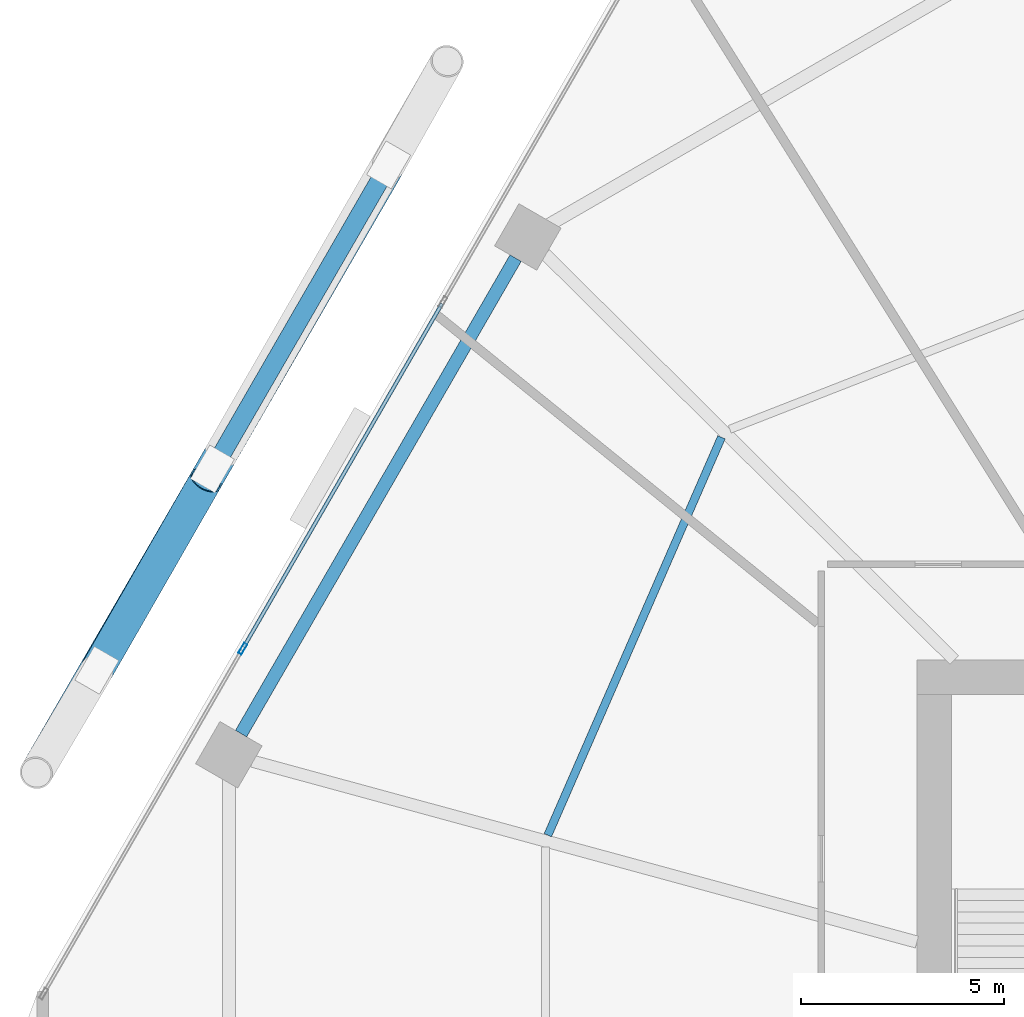
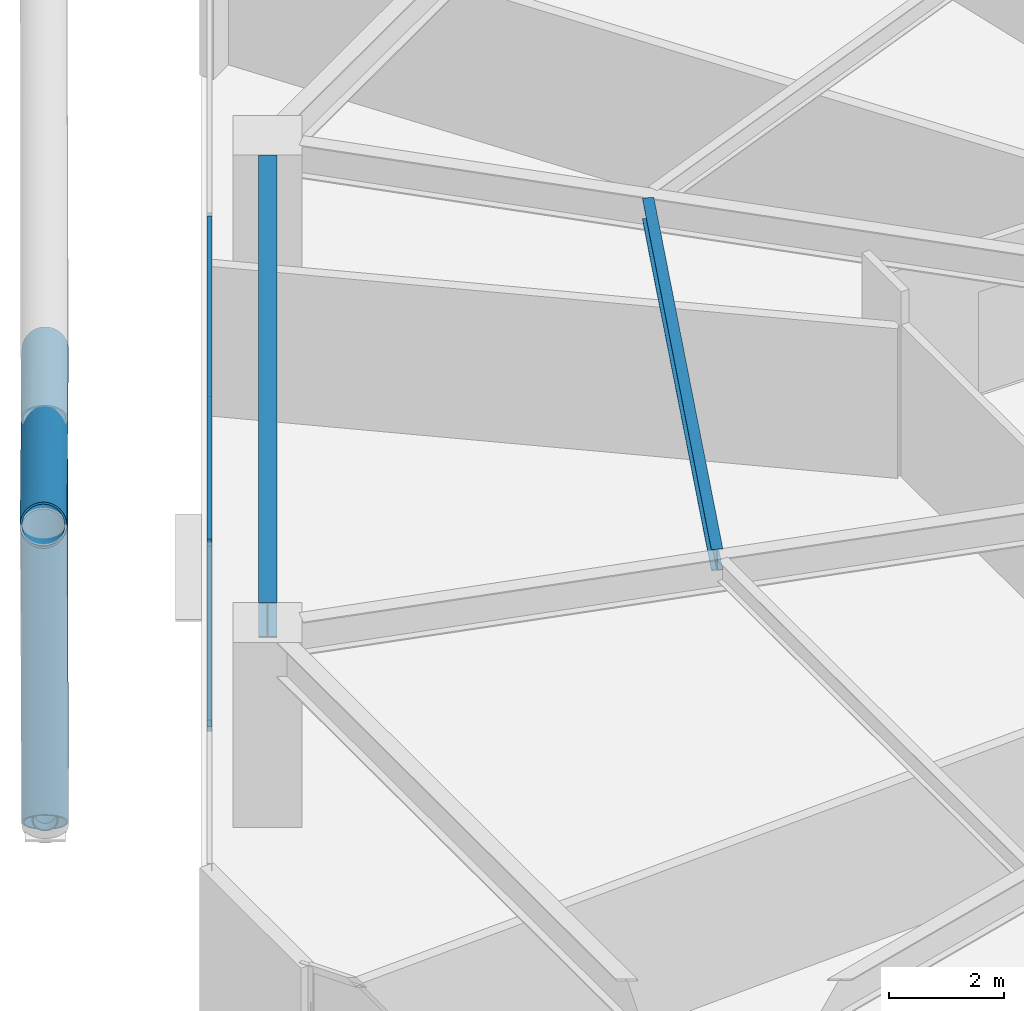
# One storey, part 14 of 30: 6 members, 2 beams, 1 element without a shape of its own.
"""IFC4 building model written with IfcOpenShell, lengths in metres."""

from ifc_helpers import new_model, si_unit, direction, frame, origin, origin_2d, place, context, subcontext, project, spatial, hollow_rectangle, hollow_circle, i_section, extrude, material, material_profile, profile_set, type_object, element, aggregate, save


model = new_model("IFC4")

# Units and contexts
model_context = context("Model", 3, precision=1e-05, world=origin(), true_north=direction((0.0, 1.0)))
body_context = subcontext(model_context, "Body", "Model", "MODEL_VIEW")
ifc_project = project(units=[si_unit("LENGTHUNIT", "METRE"), si_unit("AREAUNIT", "SQUARE_METRE"), si_unit("VOLUMEUNIT", "CUBIC_METRE"), si_unit("PLANEANGLEUNIT", "RADIAN"), si_unit("MASSUNIT", "GRAM", prefix="KILO")], contexts=[model_context])

# Site, building, storey
site_placement = place(None, origin())
site = spatial("IfcSite", under=ifc_project, at=site_placement, CompositionType="ELEMENT")
building_placement = place(site_placement, origin())
building = spatial("IfcBuilding", under=site, at=building_placement, Name="Zuhravey Tower", CompositionType="ELEMENT")
storey_placement = place(building_placement, frame((0.0, 0.0, 33.0)))
storey = spatial("IfcBuildingStorey", under=building, at=storey_placement, Name="L08", CompositionType="ELEMENT", Elevation=33.0)

# Curtain wall, members
ifc_material_1 = material(Name="Thermally broken anodised aluminium", Category="aluminium")
curtain_wall_type = type_object("IfcCurtainWallType", Name="School Low-E Unitised Curtain Wall CW1", PredefinedType="NOTDEFINED", material=ifc_material_1)
curtain_wall_placement = place(storey_placement, origin())
curtain_wall = element("IfcCurtainWall", 1, at=curtain_wall_placement, inside=storey, type_object=curtain_wall_type, Name="L08 CW1 CW-L08-F3-1", PredefinedType="NOTDEFINED")
ifc_material_2 = material(Name="Anodised aluminium", Category="aluminium")
ifc_material_profile_1 = material_profile(ifc_material_2, hollow_rectangle(XDim=0.090087890625, YDim=0.284912109375, WallThickness=0.0048828125, at=origin_2d()), Name="ALU-RHS-90x285x5")
ifc_profile_set_1 = profile_set([ifc_material_profile_1], Name="Anodised aluminium")
member_type_1 = type_object("IfcMemberType", Name="Curtain-Wall Mullion 90x180", PredefinedType="MULLION", material=ifc_profile_set_1)
member_1_placement = place(storey_placement, frame((8.45458984375, 42.20703125, 0.0), z_axis=(0.0, 0.0, 1.0), x_axis=(-0.86602552265, 0.499999794119, 0.0)))
member_1 = element("IfcMember", 2, at=member_1_placement, type_object=member_type_1, Name="CW1 mullion 2", PredefinedType="MULLION", context=body_context, shape_type="SweptSolid", body=[
    extrude(hollow_rectangle(XDim=0.090087890625, YDim=0.284912109375, WallThickness=0.0048828125, at=origin_2d()), origin(), (0.0, 0.0, 1.0), 3.919921875),
])
ifc_material_profile_2 = material_profile(ifc_material_2, hollow_rectangle(XDim=0.090087890625, YDim=0.14990234375, WallThickness=0.0048828125, at=origin_2d()), Name="ALU-RHS-90x150x5")
ifc_profile_set_2 = profile_set([ifc_material_profile_2], Name="Anodised aluminium")
member_type_2 = type_object("IfcMemberType", Name="Curtain-Wall Transom 90x150", PredefinedType="USERDEFINED", material=ifc_profile_set_2)
member_2_placement = place(storey_placement, frame((8.47705078125, 42.245849609375, 0.044921875), z_axis=(0.499990498062, 0.866030889661, 0.0), x_axis=(-0.866030889661, 0.499990498062, 0.0)))
member_2 = element("IfcMember", 3, at=member_2_placement, type_object=member_type_2, Name="CW1 transom 2.1", ObjectType="TRANSOM", PredefinedType="USERDEFINED", context=body_context, shape_type="SweptSolid", body=[
    extrude(hollow_rectangle(XDim=0.090087890625, YDim=0.14990234375, WallThickness=0.0048828125, at=origin_2d()), origin(), (0.0, 0.0, 1.0), 9.776611328125),
])
member_3_placement = place(storey_placement, frame((8.47705078125, 42.245849609375, 3.875), z_axis=(0.499990498062, 0.866030889661, 0.0), x_axis=(-0.866030889661, 0.499990498062, 0.0)))
member_3 = element("IfcMember", 4, at=member_3_placement, type_object=member_type_2, Name="CW1 transom 2.2", ObjectType="TRANSOM", PredefinedType="USERDEFINED", context=body_context, shape_type="SweptSolid", body=[
    extrude(hollow_rectangle(XDim=0.090087890625, YDim=0.14990234375, WallThickness=0.0048828125, at=origin_2d()), origin(), (0.0, 0.0, 1.0), 9.776611328125),
])
aggregate(curtain_wall, [member_1, member_2, member_3])

# Members
ifc_material_3 = material(Name="Steel SM355", Category="steel")
ifc_material_profile_3 = material_profile(ifc_material_3, hollow_circle(Radius=0.228515625, WallThickness=0.02197265625, at=origin_2d()), Name="CHS-457.2x22")
ifc_profile_set_3 = profile_set([ifc_material_profile_3], Name="Steel SM355")
member_type_3 = type_object("IfcMemberType", Name="Exoskeleton Ring Tie CHS457x22", PredefinedType="CHORD", material=ifc_profile_set_3)
member_4_placement = place(storey_placement, frame((11.97998046875, 54.012939453125, -0.493896484375), z_axis=(-0.500008572427, -0.866020454435, 0.0), x_axis=(0.866020454435, -0.500008572427, 0.0)))
element("IfcMember", 5, at=member_4_placement, inside=storey, type_object=member_type_3, Name="L08 Exoskeleton Face 3 Tie EXR1", PredefinedType="CHORD", context=body_context, shape_type="SweptSolid", body=[
    extrude(hollow_circle(Radius=0.228515625, WallThickness=0.02197265625, at=origin_2d()), origin(), (0.0, 0.0, 1.0), 14.107666015625),
])
ifc_material_4 = material(Name="Steel SM460", Category="steel")
ifc_material_profile_4 = material_profile(ifc_material_4, hollow_circle(Radius=0.406494140625, WallThickness=0.035888671875, at=origin_2d()), Name="CHS-812.8x36")
ifc_profile_set_4 = profile_set([ifc_material_profile_4], Name="Steel SM460")
member_type_4 = type_object("IfcMemberType", Name="Exoskeleton Zone 1 Diagrid CHS813x36", PredefinedType="BRACE", material=ifc_profile_set_4)
member_5_placement = place(storey_placement, frame((12.02734375, 54.094970703125, -0.471923828125), z_axis=(-0.451292151935, -0.778528023894, 0.436153080481), x_axis=(0.86515371492, -0.501506779176, 0.0)))
element("IfcMember", 6, at=member_5_placement, inside=storey, type_object=member_type_4, Name="L08 Face 3 Diagrid Brace 2", PredefinedType="BRACE", context=body_context, shape_type="SweptSolid", body=[
    extrude(hollow_circle(Radius=0.406494140625, WallThickness=0.035888671875, at=origin_2d()), origin(), (0.0, 0.0, 1.0), 19.158203125),
])
member_6_placement = place(storey_placement, frame((4.876220703125, 41.70947265625, -0.464111328125), z_axis=(0.401264855815, 0.699203644203, 0.591693146336), x_axis=(-0.867322624064, 0.497746387016, 0.0)))
element("IfcMember", 7, at=member_6_placement, inside=storey, type_object=member_type_4, Name="L08 Face 3 Split Diagrid Brace 3A", PredefinedType="BRACE", context=body_context, shape_type="SweptSolid", body=[
    extrude(hollow_circle(Radius=0.406494140625, WallThickness=0.035888671875, at=origin_2d()), origin(), (0.0, 0.0, 1.0), 6.6513671875),
])

# Beams
ifc_material_profile_5 = material_profile(ifc_material_3, i_section(OverallWidth=0.320068359375, OverallDepth=0.75, WebThickness=0.013916015625, FlangeThickness=0.02490234375, at=origin_2d()), Name="H-750x320x14x25")
ifc_profile_set_5 = profile_set([ifc_material_profile_5], Name="Steel SM355")
beam_type_1 = type_object("IfcBeamType", Name="Perimeter Ring Beam H750x320", PredefinedType="BEAM", material=ifc_profile_set_5)
beam_1_placement = place(storey_placement, frame((15.179443359375, 51.834716796875, 3.544921875), z_axis=(-0.499999877243, -0.866025474658, 0.0), x_axis=(0.866025474658, -0.499999877243, 0.0)))
element("IfcBeam", 8, at=beam_1_placement, inside=storey, type_object=beam_type_1, Name="L08 PB1 BM-L08-PB-05", PredefinedType="BEAM", context=body_context, shape_type="SweptSolid", body=[
    extrude(i_section(OverallWidth=0.320068359375, OverallDepth=0.75, WebThickness=0.013916015625, FlangeThickness=0.02490234375, at=origin_2d()), origin(), (0.0, 0.0, 1.0), 13.5341796875),
])
ifc_material_profile_6 = material_profile(ifc_material_3, i_section(OverallWidth=0.199951171875, OverallDepth=0.449951171875, WebThickness=0.009033203125, FlangeThickness=0.013916015625, at=origin_2d()), Name="H-450x200x9x14")
ifc_profile_set_6 = profile_set([ifc_material_profile_6], Name="Steel SM355")
beam_type_2 = type_object("IfcBeamType", Name="Secondary Floor Joist H450x200", PredefinedType="JOIST", material=ifc_profile_set_6)
beam_2_placement = place(storey_placement, frame((20.2548828125, 47.41845703125, 3.695068359375), z_axis=(-0.399923551578, -0.916548500022, 0.0), x_axis=(0.916548500022, -0.399923551578, 0.0)))
element("IfcBeam", 9, at=beam_2_placement, inside=storey, type_object=beam_type_2, Name="L08 SJ1 BM-L08-SJ-05-1", PredefinedType="JOIST", context=body_context, shape_type="SweptSolid", body=[
    extrude(i_section(OverallWidth=0.199951171875, OverallDepth=0.449951171875, WebThickness=0.009033203125, FlangeThickness=0.013916015625, at=origin_2d()), origin(), (0.0, 0.0, 1.0), 10.70263671875),
])

save(model, "model.ifc")
